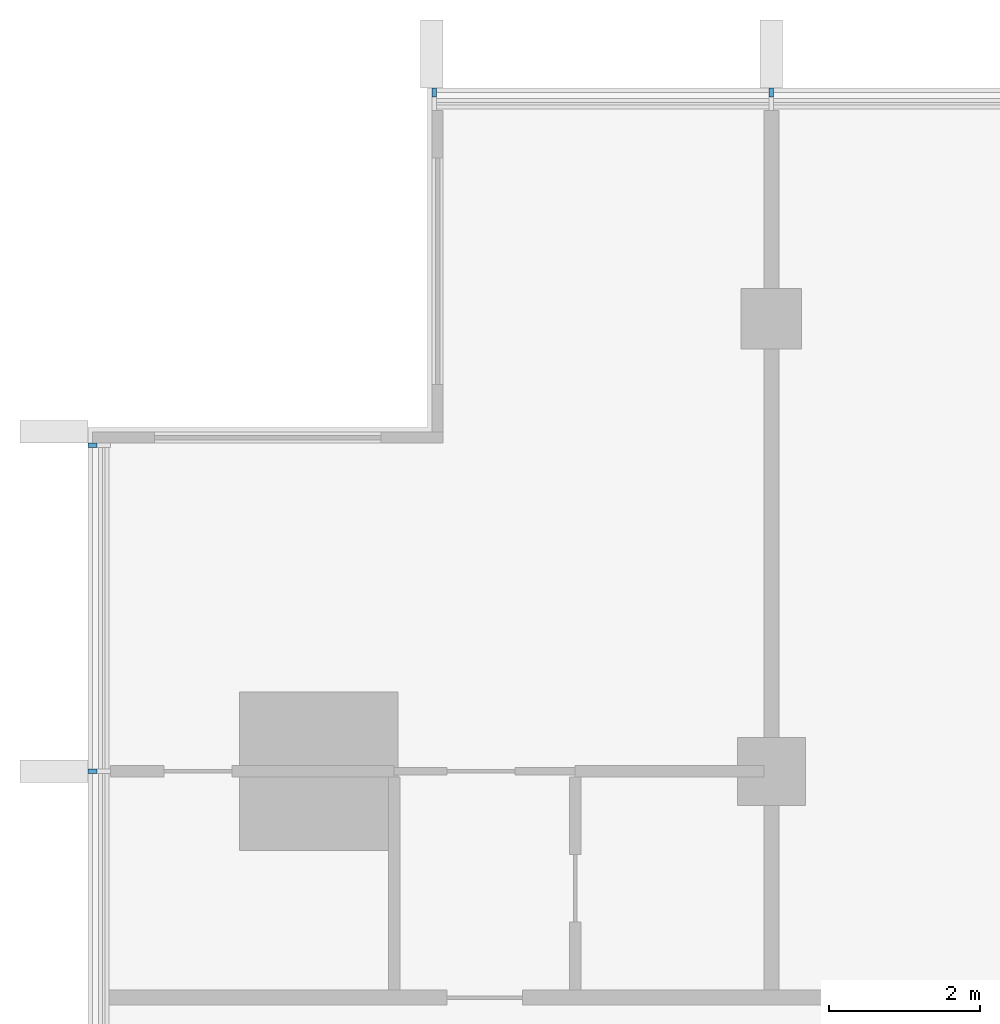
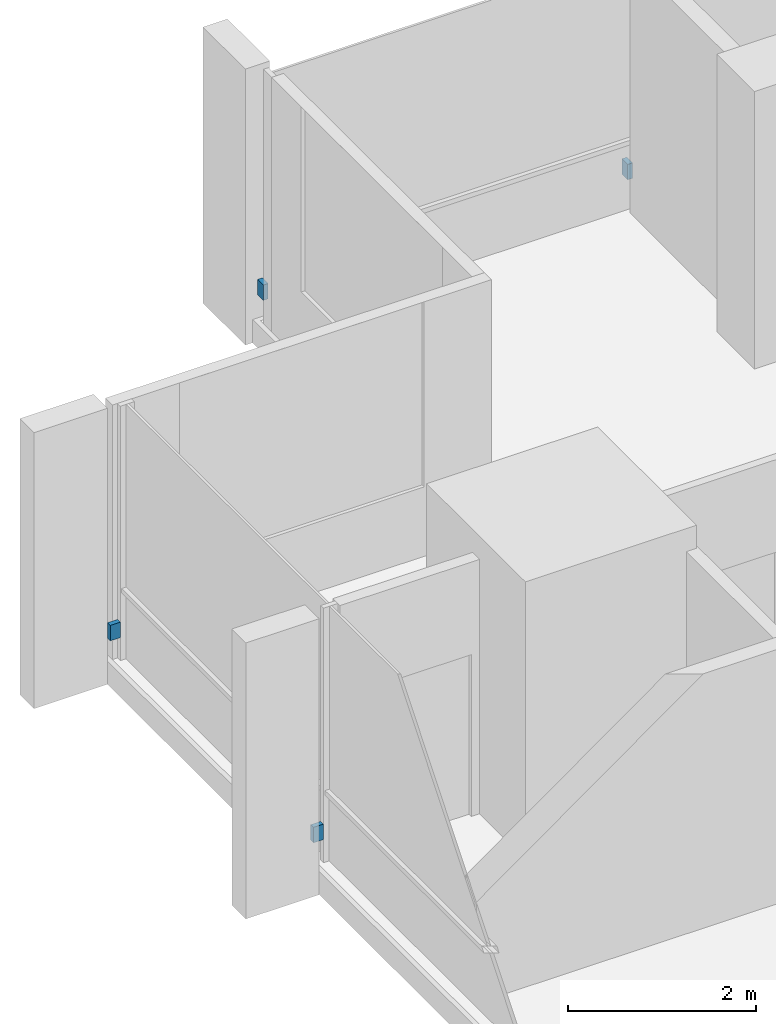
# One storey, part 14 of 16: 4 discrete accessories.
"""IFC4 building model written with IfcOpenShell, lengths in metres."""

from ifc_helpers import new_model, si_unit, direction, frame, origin, origin_2d, place, context, subcontext, project, spatial, rectangle, extrude, material, type_object, element, save


model = new_model("IFC4")

# Units and contexts
model_context = context("Model", 3, precision=1e-05, world=origin(), true_north=direction((0.0, 1.0)))
body_context = subcontext(model_context, "Body", "Model", "MODEL_VIEW")
ifc_project = project(units=[si_unit("LENGTHUNIT", "METRE"), si_unit("AREAUNIT", "SQUARE_METRE"), si_unit("VOLUMEUNIT", "CUBIC_METRE"), si_unit("PLANEANGLEUNIT", "RADIAN"), si_unit("MASSUNIT", "GRAM", prefix="KILO")], contexts=[model_context])

# Site, building, storey
site_placement = place(None, origin())
site = spatial("IfcSite", under=ifc_project, at=site_placement, CompositionType="ELEMENT")
building_placement = place(site_placement, origin())
building = spatial("IfcBuilding", under=site, at=building_placement, Name="Finial Court Residences", CompositionType="ELEMENT")
storey_placement = place(building_placement, frame((0.0, 0.0, 212.300048828125)))
storey = spatial("IfcBuildingStorey", under=building, at=storey_placement, Name="L53", CompositionType="ELEMENT", Elevation=212.300048828125)

# Discrete accessories
ifc_material = material(Name="Stainless steel 316", Category="steel")
discrete_accessory_type = type_object("IfcDiscreteAccessoryType", Name="Fin bracket, stainless steel 60 x 122 x 200", PredefinedType="BRACKET", material=ifc_material)
for number, where, z_axis, x_axis, name in (
    (1, (-14.969970703125, 16.498779296875, 0.2998046875), (0.0, 0.0, 1.0), (1.0, 0.0, 0.0), "E-L53-FIN-N1-BRK"),
    (2, (-10.5, 16.498779296875, 0.2998046875), (0.0, 0.0, 1.0), (1.0, 0.0, 0.0), "E-L53-FIN-N2-BRK"),
):
    element("IfcDiscreteAccessory", number, at=place(storey_placement, frame(where, z_axis=z_axis, x_axis=x_axis)), inside=storey, type_object=discrete_accessory_type, Name=name, PredefinedType="BRACKET", context=body_context, shape_type="SweptSolid", body=[
        extrude(rectangle(XDim=0.06005859375, YDim=0.12255859375, at=origin_2d()), origin(), (0.0, 0.0, 1.0), 0.199951171875),
    ])
for number, where, z_axis, x_axis, name in (
    (3, (-19.498779296875, 7.5, 0.2998046875), (0.0, 0.0, 1.0), (1.0, 0.0, 0.0), "E-L53-FIN-W25-BRK"),
    (4, (-19.498779296875, 11.820068359375, 0.2998046875), (0.0, 0.0, 1.0), (1.0, 0.0, 0.0), "E-L53-FIN-W26-BRK"),
):
    element("IfcDiscreteAccessory", number, at=place(storey_placement, frame(where, z_axis=z_axis, x_axis=x_axis)), inside=storey, type_object=discrete_accessory_type, Name=name, PredefinedType="BRACKET", context=body_context, shape_type="SweptSolid", body=[
        extrude(rectangle(XDim=0.12255859375, YDim=0.06005859375, at=origin_2d()), origin(), (0.0, 0.0, 1.0), 0.199951171875),
    ])

save(model, "model.ifc")
